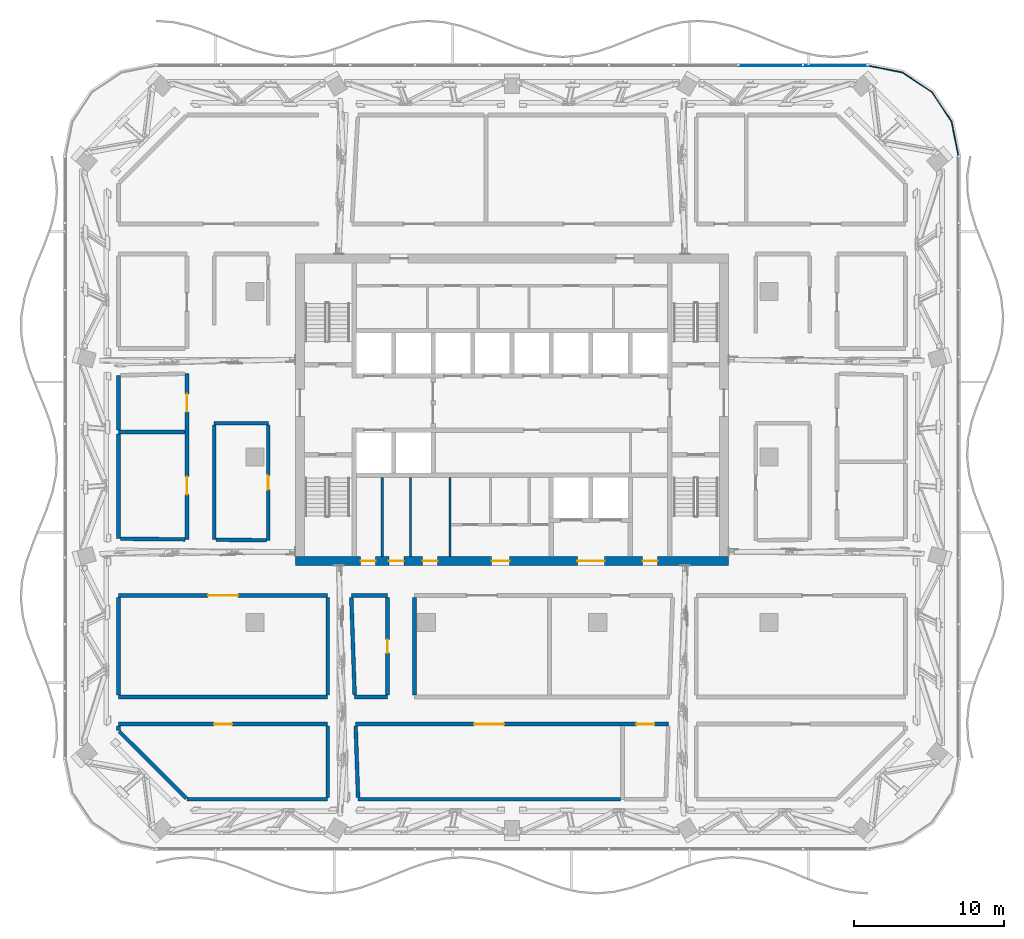
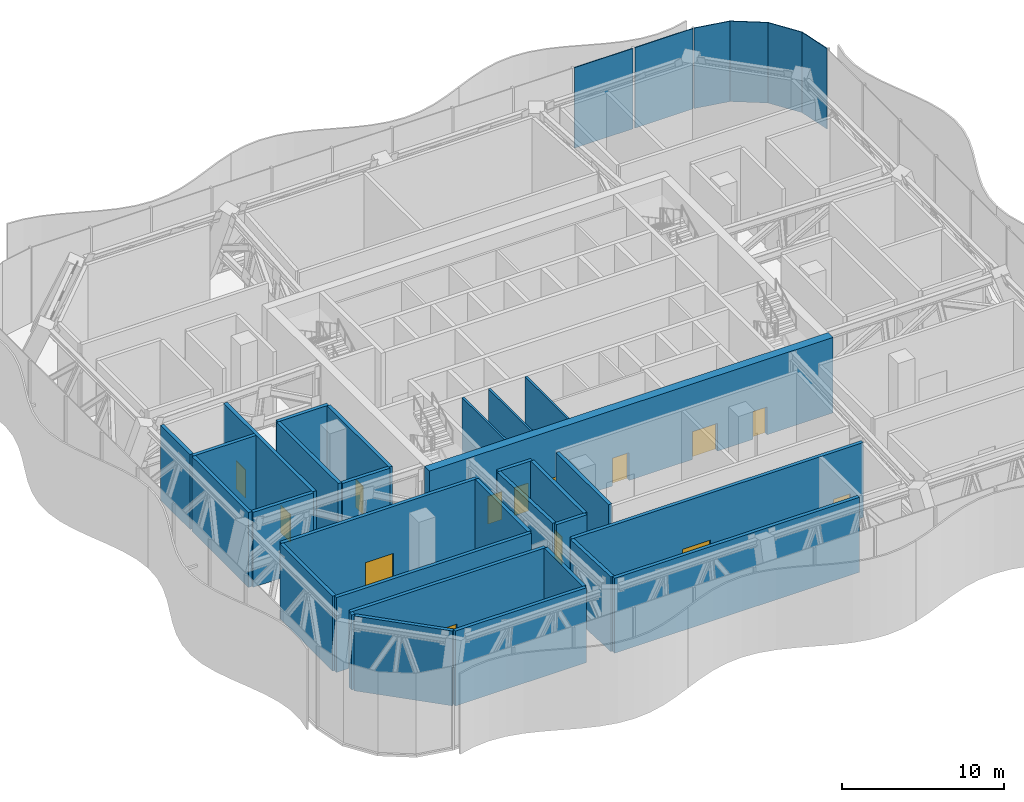
# One storey, part 10 of 29: 30 walls, 14 doors, 3 plates, 14 openings, 2 elements without a shape of their own.
"""IFC4 building model written with IfcOpenShell, lengths in metres."""

from ifc_helpers import new_model, si_unit, direction, frame, frame_2d, origin, origin_2d, place, context, subcontext, project, spatial, polyline, rectangle, outline, extrude, material, layer, layer_set, type_object, element, fill, aggregate, save


model = new_model("IFC4")

# Units and contexts
model_context = context("Model", 3, precision=1e-05, world=origin(), true_north=direction((0.0, 1.0)))
body_context = subcontext(model_context, "Body", "Model", "MODEL_VIEW")
ifc_project = project(units=[si_unit("LENGTHUNIT", "METRE"), si_unit("AREAUNIT", "SQUARE_METRE"), si_unit("VOLUMEUNIT", "CUBIC_METRE"), si_unit("PLANEANGLEUNIT", "RADIAN"), si_unit("MASSUNIT", "GRAM", prefix="KILO")], contexts=[model_context])

# Site, building, storey
site_placement = place(None, origin())
site = spatial("IfcSite", under=ifc_project, at=site_placement, CompositionType="ELEMENT")
building_placement = place(site_placement, origin())
building = spatial("IfcBuilding", under=site, at=building_placement, Name="Mopane Tessera Tower", CompositionType="ELEMENT")
storey_placement = place(building_placement, frame((0.0, 0.0, 315.39990234375)))
storey = spatial("IfcBuildingStorey", under=building, at=storey_placement, Name="L69", CompositionType="ELEMENT", Elevation=315.39990234375)

# Curtain wall, plate
ifc_material_1 = material(Name="Aluminium frame", Category="aluminium")
curtain_wall_type = type_object("IfcCurtainWallType", Name="Plant floor unitised wall", PredefinedType="NOTDEFINED", material=ifc_material_1)
curtain_wall_1_placement = place(storey_placement, origin())
curtain_wall_1 = element("IfcCurtainWall", 1, at=curtain_wall_1_placement, inside=storey, type_object=curtain_wall_type, Name="e:cw:L69:CE", PredefinedType="NOTDEFINED")
ifc_material_2 = material(Name="Limestone spandrel", Category="masonry")
ifc_layer_1 = layer(ifc_material_2, 0.06005859375)
ifc_layer_set_1 = layer_set([ifc_layer_1], Name="Limestone spandrel")
plate_type = type_object("IfcPlateType", Name="Stone spandrel unit", PredefinedType="CURTAIN_PANEL", material=ifc_layer_set_1)
plate_1_placement = place(storey_placement, frame((0.0, 0.0, -0.419921875)))
plate_1 = element("IfcPlate", 2, at=plate_1_placement, type_object=plate_type, Name="e:cw:L69:CE:pn", PredefinedType="CURTAIN_PANEL", context=body_context, shape_type="SweptSolid", body=[
    extrude(outline(polyline([(29.64990234375, 20.0), (29.193359375, 22.296142578125), (27.892578125, 24.24267578125), (25.946044921875, 25.543212890625), (23.64990234375, 26.0), (23.64990234375, 26.06005859375), (25.968994140625, 25.5986328125), (27.93505859375, 24.28515625), (29.248779296875, 22.319091796875), (29.7099609375, 20.0), (29.64990234375, 20.0)])), origin(), (0.0, 0.0, 1.0), 6.070068359375),
])
aggregate(curtain_wall_1, [plate_1])

# Curtain wall, plates
curtain_wall_2_placement = place(storey_placement, origin())
curtain_wall_2 = element("IfcCurtainWall", 3, at=curtain_wall_2_placement, inside=storey, type_object=curtain_wall_type, Name="e:cw:L69:N:0", PredefinedType="NOTDEFINED")
plate_2_placement = place(storey_placement, frame((21.5, 26.030029296875, -0.419921875), z_axis=(0.0, 0.0, 1.0), x_axis=(-1.0, 0.0, 0.0)))
plate_2 = element("IfcPlate", 4, at=plate_2_placement, type_object=plate_type, Name="e:cw:L69:N:0:pn0", PredefinedType="CURTAIN_PANEL", context=body_context, shape_type="SweptSolid", body=[
    extrude(rectangle(XDim=4.159912109375, YDim=0.06005859375, at=origin_2d()), origin(), (0.0, 0.0, 1.0), 6.070068359375),
])
plate_3_placement = place(storey_placement, frame((17.199951171875, 26.030029296875, -0.419921875), z_axis=(0.0, 0.0, 1.0), x_axis=(-1.0, 0.0, 0.0)))
plate_3 = element("IfcPlate", 5, at=plate_3_placement, type_object=plate_type, Name="e:cw:L69:N:0:pn1", PredefinedType="CURTAIN_PANEL", context=body_context, shape_type="SweptSolid", body=[
    extrude(rectangle(XDim=4.159912109375, YDim=0.06005859375, at=origin_2d()), origin(), (0.0, 0.0, 1.0), 6.070068359375),
])
aggregate(curtain_wall_2, [plate_2, plate_3])

# Walls
ifc_material_3 = material(Name="Fire-rated gypsum board partition")
ifc_layer_2 = layer(ifc_material_3, 0.14990234375)
ifc_layer_set_2 = layer_set([ifc_layer_2], Name="Fire-rated gypsum board partition")
wall_type_1 = type_object("IfcWallType", Name="Core room partition 150 mm", PredefinedType="PARTITIONING", material=ifc_layer_set_2)
for number, where, z_axis, x_axis, name in (
    (6, (-8.625, -6.60009765625, 0.0), (0.0, 0.0, 1.0), (0.0, 1.0, 0.0), "L69 Room partition"),
    (7, (-6.75, -6.60009765625, 0.0), (0.0, 0.0, 1.0), (0.0, 1.0, 0.0), "L69 Room partition"),
    (8, (-4.125, -6.60009765625, 0.0), (0.0, 0.0, 1.0), (0.0, 1.0, 0.0), "L69 Room partition"),
):
    element("IfcWall", number, at=place(storey_placement, frame(where, z_axis=z_axis, x_axis=x_axis)), inside=storey, type_object=wall_type_1, Name=name, PredefinedType="PARTITIONING", context=body_context, shape_type="SweptSolid", body=[
        extrude(rectangle(XDim=5.25, YDim=0.14990234375, at=frame_2d((2.625, 0.0))), origin(), (0.0, 0.0, 1.0), 5.7001953125),
    ])

# Wall, openings, doors
ifc_material_4 = material(Name="Concrete C70/85", Category="concrete")
ifc_layer_3 = layer(ifc_material_4, 0.60009765625)
ifc_layer_set_3 = layer_set([ifc_layer_3], Name="Concrete C70/85")
wall_type_2 = type_object("IfcWallType", Name="Core shear wall 600 mm", PredefinedType="SHEAR", material=ifc_layer_set_3)
wall_1_placement = place(storey_placement, frame((-14.39990234375, -6.89990234375, 0.0), z_axis=(0.0, 0.0, 1.0), x_axis=(1.0, 0.0, 0.0)))
wall_1 = element("IfcWall", 9, at=wall_1_placement, inside=storey, type_object=wall_type_2, Name="L69 Core wall south", PredefinedType="SHEAR", context=body_context, shape_type="SweptSolid", body=[
    extrude(rectangle(XDim=28.7998046875, YDim=0.60009765625, at=frame_2d((14.39990234375, 0.0))), origin(), (0.0, 0.0, 1.0), 5.7001953125),
])
opening_1_placement = place(wall_1_placement, frame((4.33740234375, 0.0, 0.0)))
opening_1 = element("IfcOpeningElement", 10, at=opening_1_placement, cuts=wall_1, Name="Opening RD1", PredefinedType="OPENING", context=body_context, shape_type="SweptSolid", body=[
    extrude(rectangle(XDim=1.0, YDim=2.10009765625, at=frame_2d((0.5, 1.050048828125))), frame((0.0, 0.31201171875, 0.0), z_axis=(0.0, -1.0, 0.0), x_axis=(1.0, 0.0, 0.0)), (0.0, 0.0, 1.0), 0.6240234375),
])
opening_2_placement = place(wall_1_placement, frame((6.21240234375, 0.0, 0.0)))
opening_2 = element("IfcOpeningElement", 11, at=opening_2_placement, cuts=wall_1, Name="Opening RD1", PredefinedType="OPENING", context=body_context, shape_type="SweptSolid", body=[
    extrude(rectangle(XDim=1.0, YDim=2.10009765625, at=frame_2d((0.5, 1.050048828125))), frame((0.0, 0.31201171875, 0.0), z_axis=(0.0, -1.0, 0.0), x_axis=(1.0, 0.0, 0.0)), (0.0, 0.0, 1.0), 0.6240234375),
])
opening_3_placement = place(wall_1_placement, frame((8.46240234375, 0.0, 0.0)))
opening_3 = element("IfcOpeningElement", 12, at=opening_3_placement, cuts=wall_1, Name="Opening RD1", PredefinedType="OPENING", context=body_context, shape_type="SweptSolid", body=[
    extrude(rectangle(XDim=1.0, YDim=2.10009765625, at=frame_2d((0.5, 1.050048828125))), frame((0.0, 0.31201171875, 0.0), z_axis=(0.0, -1.0, 0.0), x_axis=(1.0, 0.0, 0.0)), (0.0, 0.0, 1.0), 0.6240234375),
])
opening_4_placement = place(wall_1_placement, frame((13.050048828125, 0.0, 0.0)))
opening_4 = element("IfcOpeningElement", 13, at=opening_4_placement, cuts=wall_1, Name="Opening WD3", PredefinedType="OPENING", context=body_context, shape_type="SweptSolid", body=[
    extrude(rectangle(XDim=1.199951171875, YDim=2.10009765625, at=frame_2d((0.60009765625, 1.050048828125))), frame((0.0, 0.31201171875, 0.0), z_axis=(0.0, -1.0, 0.0), x_axis=(1.0, 0.0, 0.0)), (0.0, 0.0, 1.0), 0.6240234375),
])
opening_5_placement = place(wall_1_placement, frame((18.75, 0.0, 0.0)))
opening_5 = element("IfcOpeningElement", 14, at=opening_5_placement, cuts=wall_1, Name="Opening SD2", PredefinedType="OPENING", context=body_context, shape_type="SweptSolid", body=[
    extrude(rectangle(XDim=1.800048828125, YDim=2.10009765625, at=frame_2d((0.89990234375, 1.050048828125))), frame((0.0, 0.31201171875, 0.0), z_axis=(0.0, -1.0, 0.0), x_axis=(1.0, 0.0, 0.0)), (0.0, 0.0, 1.0), 0.6240234375),
])
opening_6_placement = place(wall_1_placement, frame((23.08740234375, 0.0, 0.0)))
opening_6 = element("IfcOpeningElement", 15, at=opening_6_placement, cuts=wall_1, Name="Opening RD1", PredefinedType="OPENING", context=body_context, shape_type="SweptSolid", body=[
    extrude(rectangle(XDim=1.0, YDim=2.10009765625, at=frame_2d((0.5, 1.050048828125))), frame((0.0, 0.31201171875, 0.0), z_axis=(0.0, -1.0, 0.0), x_axis=(1.0, 0.0, 0.0)), (0.0, 0.0, 1.0), 0.6240234375),
])
ifc_material_5 = material(Name="Steel fire door", Category="steel")
door_type_1 = type_object("IfcDoorType", Name="Core entrance double door 1800 x 2100", OperationType="DOUBLE_DOOR_SINGLE_SWING", PredefinedType="DOOR", material=ifc_material_5)
door_1_placement = place(opening_5_placement, origin())
door_1 = element("IfcDoor", 16, at=door_1_placement, inside=storey, type_object=door_type_1, Name="L69 Service lobby door", OperationType="DOUBLE_DOOR_SINGLE_SWING", OverallHeight=2.10009765625, OverallWidth=1.800048828125, PredefinedType="DOOR", context=body_context, shape_type="SweptSolid", body=[
    extrude(rectangle(XDim=1.800048828125, YDim=2.10009765625, at=frame_2d((0.89990234375, 1.050048828125))), frame((0.0, 0.02490234375, 0.0), z_axis=(0.0, -1.0, 0.0), x_axis=(1.0, 0.0, 0.0)), (0.0, 0.0, 1.0), 0.050048828125),
])
fill(opening_5, door_1)
ifc_material_6 = material(Name="Timber door", Category="wood")
door_type_2 = type_object("IfcDoorType", Name="Core room door 1000 x 2100", OperationType="SINGLE_SWING_LEFT", PredefinedType="DOOR", material=ifc_material_6)
door_2_placement = place(opening_1_placement, origin())
door_2 = element("IfcDoor", 17, at=door_2_placement, inside=storey, type_object=door_type_2, Name="L69 Room door", OperationType="SINGLE_SWING_LEFT", OverallHeight=2.10009765625, OverallWidth=1.0, PredefinedType="DOOR", context=body_context, shape_type="SweptSolid", body=[
    extrude(rectangle(XDim=1.0, YDim=2.10009765625, at=frame_2d((0.5, 1.050048828125))), frame((0.0, 0.02490234375, 0.0), z_axis=(0.0, -1.0, 0.0), x_axis=(1.0, 0.0, 0.0)), (0.0, 0.0, 1.0), 0.050048828125),
])
fill(opening_1, door_2)
door_3_placement = place(opening_2_placement, origin())
door_3 = element("IfcDoor", 18, at=door_3_placement, inside=storey, type_object=door_type_2, Name="L69 Room door", OperationType="SINGLE_SWING_LEFT", OverallHeight=2.10009765625, OverallWidth=1.0, PredefinedType="DOOR", context=body_context, shape_type="SweptSolid", body=[
    extrude(rectangle(XDim=1.0, YDim=2.10009765625, at=frame_2d((0.5, 1.050048828125))), frame((0.0, 0.02490234375, 0.0), z_axis=(0.0, -1.0, 0.0), x_axis=(1.0, 0.0, 0.0)), (0.0, 0.0, 1.0), 0.050048828125),
])
fill(opening_2, door_3)
door_4_placement = place(opening_3_placement, origin())
door_4 = element("IfcDoor", 19, at=door_4_placement, inside=storey, type_object=door_type_2, Name="L69 Room door", OperationType="SINGLE_SWING_LEFT", OverallHeight=2.10009765625, OverallWidth=1.0, PredefinedType="DOOR", context=body_context, shape_type="SweptSolid", body=[
    extrude(rectangle(XDim=1.0, YDim=2.10009765625, at=frame_2d((0.5, 1.050048828125))), frame((0.0, 0.02490234375, 0.0), z_axis=(0.0, -1.0, 0.0), x_axis=(1.0, 0.0, 0.0)), (0.0, 0.0, 1.0), 0.050048828125),
])
fill(opening_3, door_4)
door_5_placement = place(opening_6_placement, origin())
door_5 = element("IfcDoor", 20, at=door_5_placement, inside=storey, type_object=door_type_2, Name="L69 Room door", OperationType="SINGLE_SWING_LEFT", OverallHeight=2.10009765625, OverallWidth=1.0, PredefinedType="DOOR", context=body_context, shape_type="SweptSolid", body=[
    extrude(rectangle(XDim=1.0, YDim=2.10009765625, at=frame_2d((0.5, 1.050048828125))), frame((0.0, 0.02490234375, 0.0), z_axis=(0.0, -1.0, 0.0), x_axis=(1.0, 0.0, 0.0)), (0.0, 0.0, 1.0), 0.050048828125),
])
fill(opening_6, door_5)
ifc_material_7 = material(Name="Timber door", Category="wood")
door_type_3 = type_object("IfcDoorType", Name="WC lobby door 1200 x 2100", OperationType="SINGLE_SWING_LEFT", PredefinedType="DOOR", material=ifc_material_7)
door_6_placement = place(opening_4_placement, origin())
door_6 = element("IfcDoor", 21, at=door_6_placement, inside=storey, type_object=door_type_3, Name="L69 WC lobby door", OperationType="SINGLE_SWING_LEFT", OverallHeight=2.10009765625, OverallWidth=1.199951171875, PredefinedType="DOOR", context=body_context, shape_type="SweptSolid", body=[
    extrude(rectangle(XDim=1.199951171875, YDim=2.10009765625, at=frame_2d((0.60009765625, 1.050048828125))), frame((0.0, 0.02490234375, 0.0), z_axis=(0.0, -1.0, 0.0), x_axis=(1.0, 0.0, 0.0)), (0.0, 0.0, 1.0), 0.050048828125),
])
fill(opening_4, door_6)

# Walls
ifc_material_8 = material(Name="Plastered concrete blockwork C20/25", Category="masonry")
ifc_layer_4 = layer(ifc_material_8, 0.25)
ifc_layer_set_4 = layer_set([ifc_layer_4], Name="Plastered concrete blockwork C20/25")
wall_type_3 = type_object("IfcWallType", Name="Plastered blockwork wall 250, rated EI 120", PredefinedType="PARTITIONING", material=ifc_layer_set_4)
wall_2_placement = place(storey_placement, frame((-21.594970703125, -22.7451171875, 0.0), z_axis=(0.0, 0.0, 1.0), x_axis=(1.0, 0.0, 0.0)))
element("IfcWall", 22, at=wall_2_placement, inside=storey, type_object=wall_type_3, Name="Partition L69:000", PredefinedType="PARTITIONING", context=body_context, shape_type="SweptSolid", body=[
    extrude(rectangle(XDim=9.344970703125, YDim=0.25, at=frame_2d((4.67236328125, 0.0))), origin(), (0.0, 0.0, 1.0), 5.650146484375),
])
wall_3_placement = place(storey_placement, frame((-10.22998046875, -22.7451171875, 0.0), z_axis=(0.0, 0.0, 1.0), x_axis=(1.0, 0.0, 0.0)))
element("IfcWall", 23, at=wall_3_placement, inside=storey, type_object=wall_type_3, Name="Partition L69:001", PredefinedType="PARTITIONING", context=body_context, shape_type="SweptSolid", body=[
    extrude(rectangle(XDim=17.455078125, YDim=0.25, at=frame_2d((8.7275390625, 0.0))), origin(), (0.0, 0.0, 1.0), 5.650146484375),
])

# Wall, opening, door
wall_4_placement = place(storey_placement, frame((-26.159912109375, -17.75, 0.0), z_axis=(0.0, 0.0, 1.0), x_axis=(1.0, 0.0, 0.0)))
wall_4 = element("IfcWall", 24, at=wall_4_placement, inside=storey, type_object=wall_type_3, Name="Partition L69:004", PredefinedType="PARTITIONING", context=body_context, shape_type="SweptSolid", body=[
    extrude(rectangle(XDim=13.909912109375, YDim=0.25, at=frame_2d((6.955078125, 0.0))), origin(), (0.0, 0.0, 1.0), 5.650146484375),
])
opening_7_placement = place(wall_4_placement, frame((6.35498046875, 0.0, 0.0)))
opening_7 = element("IfcOpeningElement", 25, at=opening_7_placement, cuts=wall_4, Name="Opening L69-16", PredefinedType="OPENING", context=body_context, shape_type="SweptSolid", body=[
    extrude(rectangle(XDim=1.199951171875, YDim=2.10009765625, at=frame_2d((0.60009765625, 1.050048828125))), frame((0.0, 0.136962890625, 0.0), z_axis=(0.0, -1.0, 0.0), x_axis=(1.0, 0.0, 0.0)), (0.0, 0.0, 1.0), 0.27392578125),
])
ifc_material_9 = material(Name="Timber veneered steel-framed fire door", Category="steel")
door_type_4 = type_object("IfcDoorType", Name="Fire door FD120 1200 x 2100", OperationType="SINGLE_SWING_LEFT", PredefinedType="DOOR", material=ifc_material_9)
door_7_placement = place(opening_7_placement, origin())
door_7 = element("IfcDoor", 26, at=door_7_placement, inside=storey, type_object=door_type_4, Name="Door L69-16", ObjectType="D15B", OperationType="SINGLE_SWING_LEFT", OverallHeight=2.10009765625, OverallWidth=1.199951171875, PredefinedType="DOOR", context=body_context, shape_type="SweptSolid", body=[
    extrude(rectangle(XDim=1.199951171875, YDim=2.10009765625, at=frame_2d((0.60009765625, 1.050048828125))), frame((0.0, 0.02490234375, 0.0), z_axis=(0.0, -1.0, 0.0), x_axis=(1.0, 0.0, 0.0)), (0.0, 0.0, 1.0), 0.050048828125),
])
fill(opening_7, door_7)

# Wall, openings, doors
wall_5_placement = place(storey_placement, frame((-10.39501953125, -17.75, 0.0), z_axis=(0.0, 0.0, 1.0), x_axis=(1.0, 0.0, 0.0)))
wall_5 = element("IfcWall", 27, at=wall_5_placement, inside=storey, type_object=wall_type_3, Name="Partition L69:005", PredefinedType="PARTITIONING", context=body_context, shape_type="SweptSolid", body=[
    extrude(rectangle(XDim=20.7900390625, YDim=0.25, at=frame_2d((10.39501953125, 0.0))), origin(), (0.0, 0.0, 1.0), 5.650146484375),
])
opening_8_placement = place(wall_5_placement, frame((18.66748046875, 0.0, 0.0)))
opening_8 = element("IfcOpeningElement", 28, at=opening_8_placement, cuts=wall_5, Name="Opening L69-03", PredefinedType="OPENING", context=body_context, shape_type="SweptSolid", body=[
    extrude(rectangle(XDim=1.199951171875, YDim=2.10009765625, at=frame_2d((0.60009765625, 1.050048828125))), frame((0.0, 0.136962890625, 0.0), z_axis=(0.0, -1.0, 0.0), x_axis=(1.0, 0.0, 0.0)), (0.0, 0.0, 1.0), 0.27392578125),
])
opening_9_placement = place(wall_5_placement, frame((7.87255859375, 0.0, 0.0)))
opening_9 = element("IfcOpeningElement", 29, at=opening_9_placement, cuts=wall_5, Name="Opening L69-17", PredefinedType="OPENING", context=body_context, shape_type="SweptSolid", body=[
    extrude(rectangle(XDim=2.0, YDim=2.10009765625, at=frame_2d((1.0, 1.050048828125))), frame((0.0, 0.136962890625, 0.0), z_axis=(0.0, -1.0, 0.0), x_axis=(1.0, 0.0, 0.0)), (0.0, 0.0, 1.0), 0.27392578125),
])
door_8_placement = place(opening_8_placement, origin())
door_8 = element("IfcDoor", 30, at=door_8_placement, inside=storey, type_object=door_type_4, Name="Door L69-03", ObjectType="D15B", OperationType="SINGLE_SWING_RIGHT", OverallHeight=2.10009765625, OverallWidth=1.199951171875, PredefinedType="DOOR", context=body_context, shape_type="SweptSolid", body=[
    extrude(rectangle(XDim=1.199951171875, YDim=2.10009765625, at=frame_2d((0.60009765625, 1.050048828125))), frame((0.0, 0.02490234375, 0.0), z_axis=(0.0, -1.0, 0.0), x_axis=(1.0, 0.0, 0.0)), (0.0, 0.0, 1.0), 0.050048828125),
])
fill(opening_8, door_8)
ifc_material_10 = material(Name="Timber veneered steel-framed fire door", Category="steel")
door_type_5 = type_object("IfcDoorType", Name="Fire door pair FD120 2000 x 2100", OperationType="DOUBLE_DOOR_SINGLE_SWING", PredefinedType="DOOR", material=ifc_material_10)
door_9_placement = place(opening_9_placement, origin())
door_9 = element("IfcDoor", 31, at=door_9_placement, inside=storey, type_object=door_type_5, Name="Door L69-17", ObjectType="D25B", OperationType="DOUBLE_DOOR_SINGLE_SWING", OverallHeight=2.10009765625, OverallWidth=2.0, PredefinedType="DOOR", context=body_context, shape_type="SweptSolid", body=[
    extrude(rectangle(XDim=2.0, YDim=2.10009765625, at=frame_2d((1.0, 1.050048828125))), frame((0.0, 0.02490234375, 0.0), z_axis=(0.0, -1.0, 0.0), x_axis=(1.0, 0.0, 0.0)), (0.0, 0.0, 1.0), 0.050048828125),
])
fill(opening_9, door_9)

# Walls
wall_6_placement = place(storey_placement, frame((-26.159912109375, -15.949951171875, 0.0), z_axis=(0.0, 0.0, 1.0), x_axis=(1.0, 0.0, 0.0)))
element("IfcWall", 32, at=wall_6_placement, inside=storey, type_object=wall_type_3, Name="Partition L69:007", PredefinedType="PARTITIONING", context=body_context, shape_type="SweptSolid", body=[
    extrude(rectangle(XDim=13.909912109375, YDim=0.25, at=frame_2d((6.955078125, 0.0))), origin(), (0.0, 0.0, 1.0), 5.650146484375),
])
wall_7_placement = place(storey_placement, frame((-10.455078125, -15.949951171875, 0.0), z_axis=(0.0, 0.0, 1.0), x_axis=(1.0, 0.0, 0.0)))
element("IfcWall", 33, at=wall_7_placement, inside=storey, type_object=wall_type_3, Name="Partition L69:008", PredefinedType="PARTITIONING", context=body_context, shape_type="SweptSolid", body=[
    extrude(rectangle(XDim=2.175048828125, YDim=0.25, at=frame_2d((1.08740234375, 0.0))), origin(), (0.0, 0.0, 1.0), 5.650146484375),
])

# Wall, opening, door
wall_8_placement = place(storey_placement, frame((-26.159912109375, -9.199951171875, 0.0), z_axis=(0.0, 0.0, 1.0), x_axis=(1.0, 0.0, 0.0)))
wall_8 = element("IfcWall", 34, at=wall_8_placement, inside=storey, type_object=wall_type_3, Name="Partition L69:011", PredefinedType="PARTITIONING", context=body_context, shape_type="SweptSolid", body=[
    extrude(rectangle(XDim=13.909912109375, YDim=0.25, at=frame_2d((6.955078125, 0.0))), origin(), (0.0, 0.0, 1.0), 5.650146484375),
])
opening_10_placement = place(wall_8_placement, frame((5.955078125, 0.0, 0.0)))
opening_10 = element("IfcOpeningElement", 35, at=opening_10_placement, cuts=wall_8, Name="Opening L69-08", PredefinedType="OPENING", context=body_context, shape_type="SweptSolid", body=[
    extrude(rectangle(XDim=2.0, YDim=2.10009765625, at=frame_2d((1.0, 1.050048828125))), frame((0.0, 0.136962890625, 0.0), z_axis=(0.0, -1.0, 0.0), x_axis=(1.0, 0.0, 0.0)), (0.0, 0.0, 1.0), 0.27392578125),
])
door_10_placement = place(opening_10_placement, origin())
door_10 = element("IfcDoor", 36, at=door_10_placement, inside=storey, type_object=door_type_5, Name="Door L69-08", ObjectType="D25B", OperationType="DOUBLE_DOOR_SINGLE_SWING", OverallHeight=2.10009765625, OverallWidth=2.0, PredefinedType="DOOR", context=body_context, shape_type="SweptSolid", body=[
    extrude(rectangle(XDim=2.0, YDim=2.10009765625, at=frame_2d((1.0, 1.050048828125))), frame((0.0, 0.02490234375, 0.0), z_axis=(0.0, -1.0, 0.0), x_axis=(1.0, 0.0, 0.0)), (0.0, 0.0, 1.0), 0.050048828125),
])
fill(opening_10, door_10)

# Walls
wall_9_placement = place(storey_placement, frame((-10.68505859375, -9.199951171875, 0.0), z_axis=(0.0, 0.0, 1.0), x_axis=(1.0, 0.0, 0.0)))
element("IfcWall", 37, at=wall_9_placement, inside=storey, type_object=wall_type_3, Name="Partition L69:012", PredefinedType="PARTITIONING", context=body_context, shape_type="SweptSolid", body=[
    extrude(rectangle(XDim=2.405029296875, YDim=0.25, at=frame_2d((1.20263671875, 0.0))), origin(), (0.0, 0.0, 1.0), 5.650146484375),
])
wall_10_placement = place(storey_placement, frame((-26.159912109375, 1.669921875, 0.0), z_axis=(0.0, 0.0, 1.0), x_axis=(1.0, 0.0, 0.0)))
element("IfcWall", 38, at=wall_10_placement, inside=storey, type_object=wall_type_3, Name="Partition L69:016", PredefinedType="PARTITIONING", context=body_context, shape_type="SweptSolid", body=[
    extrude(rectangle(XDim=4.434814453125, YDim=0.25, at=frame_2d((2.21728515625, 0.0))), origin(), (0.0, 0.0, 1.0), 5.650146484375),
])
wall_11_placement = place(storey_placement, frame((-19.800048828125, 2.25, 0.0), z_axis=(0.0, 0.0, 1.0), x_axis=(1.0, 0.0, 0.0)))
element("IfcWall", 39, at=wall_11_placement, inside=storey, type_object=wall_type_3, Name="Partition L69:017", PredefinedType="PARTITIONING", context=body_context, shape_type="SweptSolid", body=[
    extrude(rectangle(XDim=3.60009765625, YDim=0.25, at=frame_2d((1.800048828125, 0.0))), origin(), (0.0, 0.0, 1.0), 5.650146484375),
])
wall_12_placement = place(storey_placement, frame((-26.159912109375, -18.18505859375, 0.0), z_axis=(0.0, 0.0, 1.0), x_axis=(0.0, 1.0, 0.0)))
element("IfcWall", 40, at=wall_12_placement, inside=storey, type_object=wall_type_3, Name="Partition L69:033", PredefinedType="PARTITIONING", context=body_context, shape_type="SweptSolid", body=[
    extrude(rectangle(XDim=0.31005859375, YDim=0.25, at=frame_2d((0.155029296875, 0.0))), origin(), (0.0, 0.0, 1.0), 5.650146484375),
])
wall_13_placement = place(storey_placement, frame((-26.159912109375, -15.824951171875, 0.0), z_axis=(0.0, 0.0, 1.0), x_axis=(0.0, 1.0, 0.0)))
element("IfcWall", 41, at=wall_13_placement, inside=storey, type_object=wall_type_3, Name="Partition L69:034", PredefinedType="PARTITIONING", context=body_context, shape_type="SweptSolid", body=[
    extrude(rectangle(XDim=6.5, YDim=0.25, at=frame_2d((3.25, 0.0))), origin(), (0.0, 0.0, 1.0), 5.650146484375),
])
wall_14_placement = place(storey_placement, frame((-26.159912109375, -5.425048828125, 0.0), z_axis=(0.0, 0.0, 1.0), x_axis=(0.0, 1.0, 0.0)))
element("IfcWall", 42, at=wall_14_placement, inside=storey, type_object=wall_type_3, Name="Partition L69:035", PredefinedType="PARTITIONING", context=body_context, shape_type="SweptSolid", body=[
    extrude(rectangle(XDim=6.969970703125, YDim=0.25, at=frame_2d((3.48486328125, 0.0))), origin(), (0.0, 0.0, 1.0), 5.650146484375),
])
wall_15_placement = place(storey_placement, frame((-26.159912109375, 1.794921875, 0.0), z_axis=(0.0, 0.0, 1.0), x_axis=(0.0, 1.0, 0.0)))
element("IfcWall", 43, at=wall_15_placement, inside=storey, type_object=wall_type_3, Name="Partition L69:036", PredefinedType="PARTITIONING", context=body_context, shape_type="SweptSolid", body=[
    extrude(rectangle(XDim=3.64013671875, YDim=0.25, at=frame_2d((1.820068359375, 0.0))), origin(), (0.0, 0.0, 1.0), 5.650146484375),
])

# Wall, openings, doors
wall_16_placement = place(storey_placement, frame((-21.60009765625, -5.469970703125, 0.0), z_axis=(0.0, 0.0, 1.0), x_axis=(0.0, 1.0, 0.0)))
wall_16 = element("IfcWall", 44, at=wall_16_placement, inside=storey, type_object=wall_type_3, Name="Partition L69:039", PredefinedType="PARTITIONING", context=body_context, shape_type="SweptSolid", body=[
    extrude(rectangle(XDim=11.02001953125, YDim=0.25, at=frame_2d((5.510009765625, 0.0))), origin(), (0.0, 0.0, 1.0), 5.650146484375),
])
opening_11_placement = place(wall_16_placement, frame((8.47998046875, 0.0, 0.0)))
opening_11 = element("IfcOpeningElement", 45, at=opening_11_placement, cuts=wall_16, Name="Opening L69-02", PredefinedType="OPENING", context=body_context, shape_type="SweptSolid", body=[
    extrude(rectangle(XDim=1.199951171875, YDim=2.10009765625, at=frame_2d((0.60009765625, 1.050048828125))), frame((0.0, 0.136962890625, 0.0), z_axis=(0.0, -1.0, 0.0), x_axis=(1.0, 0.0, 0.0)), (0.0, 0.0, 1.0), 0.27392578125),
])
opening_12_placement = place(wall_16_placement, frame((2.969970703125, 0.0, 0.0)))
opening_12 = element("IfcOpeningElement", 46, at=opening_12_placement, cuts=wall_16, Name="Opening L69-15", PredefinedType="OPENING", context=body_context, shape_type="SweptSolid", body=[
    extrude(rectangle(XDim=1.199951171875, YDim=2.10009765625, at=frame_2d((0.60009765625, 1.050048828125))), frame((0.0, 0.136962890625, 0.0), z_axis=(0.0, -1.0, 0.0), x_axis=(1.0, 0.0, 0.0)), (0.0, 0.0, 1.0), 0.27392578125),
])
door_11_placement = place(opening_11_placement, origin())
door_11 = element("IfcDoor", 47, at=door_11_placement, inside=storey, type_object=door_type_4, Name="Door L69-02", ObjectType="D15B", OperationType="SINGLE_SWING_RIGHT", OverallHeight=2.10009765625, OverallWidth=1.199951171875, PredefinedType="DOOR", context=body_context, shape_type="SweptSolid", body=[
    extrude(rectangle(XDim=1.199951171875, YDim=2.10009765625, at=frame_2d((0.60009765625, 1.050048828125))), frame((0.0, 0.02490234375, 0.0), z_axis=(0.0, -1.0, 0.0), x_axis=(1.0, 0.0, 0.0)), (0.0, 0.0, 1.0), 0.050048828125),
])
fill(opening_11, door_11)
door_12_placement = place(opening_12_placement, origin())
door_12 = element("IfcDoor", 48, at=door_12_placement, inside=storey, type_object=door_type_4, Name="Door L69-15", ObjectType="D15B", OperationType="SINGLE_SWING_LEFT", OverallHeight=2.10009765625, OverallWidth=1.199951171875, PredefinedType="DOOR", context=body_context, shape_type="SweptSolid", body=[
    extrude(rectangle(XDim=1.199951171875, YDim=2.10009765625, at=frame_2d((0.60009765625, 1.050048828125))), frame((0.0, 0.02490234375, 0.0), z_axis=(0.0, -1.0, 0.0), x_axis=(1.0, 0.0, 0.0)), (0.0, 0.0, 1.0), 0.050048828125),
])
fill(opening_12, door_12)

# Wall
wall_17_placement = place(storey_placement, frame((-19.800048828125, -5.489990234375, 0.0), z_axis=(0.0, 0.0, 1.0), x_axis=(0.0, 1.0, 0.0)))
element("IfcWall", 49, at=wall_17_placement, inside=storey, type_object=wall_type_3, Name="Partition L69:041", PredefinedType="PARTITIONING", context=body_context, shape_type="SweptSolid", body=[
    extrude(rectangle(XDim=7.614990234375, YDim=0.25, at=frame_2d((3.8076171875, 0.0))), origin(), (0.0, 0.0, 1.0), 5.650146484375),
])

# Wall, opening, door
wall_18_placement = place(storey_placement, frame((-16.199951171875, -5.530029296875, 0.0), z_axis=(0.0, 0.0, 1.0), x_axis=(0.0, 1.0, 0.0)))
wall_18 = element("IfcWall", 50, at=wall_18_placement, inside=storey, type_object=wall_type_3, Name="Partition L69:043", PredefinedType="PARTITIONING", context=body_context, shape_type="SweptSolid", body=[
    extrude(rectangle(XDim=7.655029296875, YDim=0.25, at=frame_2d((3.82763671875, 0.0))), origin(), (0.0, 0.0, 1.0), 5.650146484375),
])
opening_13_placement = place(wall_18_placement, frame((3.37744140625, 0.0, 0.0)))
opening_13 = element("IfcOpeningElement", 51, at=opening_13_placement, cuts=wall_18, Name="Opening L69-09", PredefinedType="OPENING", context=body_context, shape_type="SweptSolid", body=[
    extrude(rectangle(XDim=0.89990234375, YDim=2.10009765625, at=frame_2d((0.449951171875, 1.050048828125))), frame((0.0, 0.136962890625, 0.0), z_axis=(0.0, -1.0, 0.0), x_axis=(1.0, 0.0, 0.0)), (0.0, 0.0, 1.0), 0.27392578125),
])
ifc_material_11 = material(Name="Timber veneered steel-framed fire door", Category="steel")
door_type_6 = type_object("IfcDoorType", Name="Fire door FD120 900 x 2100", OperationType="SINGLE_SWING_LEFT", PredefinedType="DOOR", material=ifc_material_11)
door_13_placement = place(opening_13_placement, origin())
door_13 = element("IfcDoor", 52, at=door_13_placement, inside=storey, type_object=door_type_6, Name="Door L69-09", ObjectType="D10B", OperationType="SINGLE_SWING_LEFT", OverallHeight=2.10009765625, OverallWidth=0.89990234375, PredefinedType="DOOR", context=body_context, shape_type="SweptSolid", body=[
    extrude(rectangle(XDim=0.89990234375, YDim=2.10009765625, at=frame_2d((0.449951171875, 1.050048828125))), frame((0.0, 0.02490234375, 0.0), z_axis=(0.0, -1.0, 0.0), x_axis=(1.0, 0.0, 0.0)), (0.0, 0.0, 1.0), 0.050048828125),
])
fill(opening_13, door_13)

# Walls
wall_19_placement = place(storey_placement, frame((-12.25, -22.6201171875, 0.0), z_axis=(0.0, 0.0, 1.0), x_axis=(0.0, 1.0, 0.0)))
element("IfcWall", 53, at=wall_19_placement, inside=storey, type_object=wall_type_3, Name="Partition L69:045", PredefinedType="PARTITIONING", context=body_context, shape_type="SweptSolid", body=[
    extrude(rectangle(XDim=4.7451171875, YDim=0.25, at=frame_2d((2.37255859375, 0.0))), origin(), (0.0, 0.0, 1.0), 5.650146484375),
])
wall_20_placement = place(storey_placement, frame((-12.25, -15.824951171875, 0.0), z_axis=(0.0, 0.0, 1.0), x_axis=(0.0, 1.0, 0.0)))
element("IfcWall", 54, at=wall_20_placement, inside=storey, type_object=wall_type_3, Name="Partition L69:046", PredefinedType="PARTITIONING", context=body_context, shape_type="SweptSolid", body=[
    extrude(rectangle(XDim=6.5, YDim=0.25, at=frame_2d((3.25, 0.0))), origin(), (0.0, 0.0, 1.0), 5.650146484375),
])

# Wall, opening, door
wall_21_placement = place(storey_placement, frame((-8.280029296875, -15.824951171875, 0.0), z_axis=(0.0, 0.0, 1.0), x_axis=(0.0, 1.0, 0.0)))
wall_21 = element("IfcWall", 55, at=wall_21_placement, inside=storey, type_object=wall_type_3, Name="Partition L69:047", PredefinedType="PARTITIONING", context=body_context, shape_type="SweptSolid", body=[
    extrude(rectangle(XDim=6.5, YDim=0.25, at=frame_2d((3.25, 0.0))), origin(), (0.0, 0.0, 1.0), 5.650146484375),
])
opening_14_placement = place(wall_21_placement, frame((2.800048828125, 0.0, 0.0)))
opening_14 = element("IfcOpeningElement", 56, at=opening_14_placement, cuts=wall_21, Name="Opening L69-10", PredefinedType="OPENING", context=body_context, shape_type="SweptSolid", body=[
    extrude(rectangle(XDim=0.89990234375, YDim=2.10009765625, at=frame_2d((0.449951171875, 1.050048828125))), frame((0.0, 0.136962890625, 0.0), z_axis=(0.0, -1.0, 0.0), x_axis=(1.0, 0.0, 0.0)), (0.0, 0.0, 1.0), 0.27392578125),
])
door_14_placement = place(opening_14_placement, origin())
door_14 = element("IfcDoor", 57, at=door_14_placement, inside=storey, type_object=door_type_6, Name="Door L69-10", ObjectType="D10B", OperationType="SINGLE_SWING_RIGHT", OverallHeight=2.10009765625, OverallWidth=0.89990234375, PredefinedType="DOOR", context=body_context, shape_type="SweptSolid", body=[
    extrude(rectangle(XDim=0.89990234375, YDim=2.10009765625, at=frame_2d((0.449951171875, 1.050048828125))), frame((0.0, 0.02490234375, 0.0), z_axis=(0.0, -1.0, 0.0), x_axis=(1.0, 0.0, 0.0)), (0.0, 0.0, 1.0), 0.050048828125),
])
fill(opening_14, door_14)

# Walls
wall_22_placement = place(storey_placement, frame((-6.47998046875, -15.824951171875, 0.0), z_axis=(0.0, 0.0, 1.0), x_axis=(0.0, 1.0, 0.0)))
element("IfcWall", 58, at=wall_22_placement, inside=storey, type_object=wall_type_3, Name="Partition L69:048", PredefinedType="PARTITIONING", context=body_context, shape_type="SweptSolid", body=[
    extrude(rectangle(XDim=6.5, YDim=0.25, at=frame_2d((3.25, 0.0))), origin(), (0.0, 0.0, 1.0), 5.650146484375),
])
wall_23_placement = place(storey_placement, frame((-16.330078125, -5.529052734375, 0.0), z_axis=(0.0, 0.0, 1.0), x_axis=(-0.999934986335, 0.011402767388, 0.0)))
element("IfcWall", 59, at=wall_23_placement, inside=storey, type_object=wall_type_3, Name="Partition L69:073", PredefinedType="PARTITIONING", context=body_context, shape_type="SweptSolid", body=[
    extrude(rectangle(XDim=3.340087890625, YDim=0.25, at=frame_2d((1.669921875, 0.0))), origin(), (0.0, 0.0, 1.0), 5.650146484375),
])
wall_24_placement = place(storey_placement, frame((-10.458984375, -15.820068359375, 0.0), z_axis=(0.0, 0.0, 1.0), x_axis=(-0.034174811959, 0.99941587051, 0.0)))
element("IfcWall", 60, at=wall_24_placement, inside=storey, type_object=wall_type_3, Name="Partition L69:074", PredefinedType="PARTITIONING", context=body_context, shape_type="SweptSolid", body=[
    extrude(rectangle(XDim=6.493896484375, YDim=0.25, at=frame_2d((3.2470703125, 0.0))), origin(), (0.0, 0.0, 1.0), 5.650146484375),
])
wall_25_placement = place(storey_placement, frame((-21.72998046875, -5.468994140625, 0.0), z_axis=(0.0, 0.0, 1.0), x_axis=(-0.999950077521, 0.009992120232, 0.0)))
element("IfcWall", 61, at=wall_25_placement, inside=storey, type_object=wall_type_3, Name="Partition L69:078", PredefinedType="PARTITIONING", context=body_context, shape_type="SweptSolid", body=[
    extrude(rectangle(XDim=4.30029296875, YDim=0.25, at=frame_2d((2.150146484375, 0.0))), origin(), (0.0, 0.0, 1.0), 5.650146484375),
])
wall_26_placement = place(storey_placement, frame((-21.652099609375, -22.68798828125, 0.0), z_axis=(0.0, 0.0, 1.0), x_axis=(-0.707494747071, 0.706718602321, 0.0)))
element("IfcWall", 62, at=wall_26_placement, inside=storey, type_object=wall_type_3, Name="Partition L69:079", PredefinedType="PARTITIONING", context=body_context, shape_type="SweptSolid", body=[
    extrude(rectangle(XDim=6.291015625, YDim=0.25, at=frame_2d((3.1455078125, 0.0))), origin(), (0.0, 0.0, 1.0), 5.650146484375),
])
wall_27_placement = place(storey_placement, frame((-10.23388671875, -22.614990234375, 0.0), z_axis=(0.0, 0.0, 1.0), x_axis=(-0.033186144738, 0.999449188202, 0.0)))
element("IfcWall", 63, at=wall_27_placement, inside=storey, type_object=wall_type_3, Name="Partition L69:080", PredefinedType="PARTITIONING", context=body_context, shape_type="SweptSolid", body=[
    extrude(rectangle(XDim=4.73779296875, YDim=0.25, at=frame_2d((2.368896484375, 0.0))), origin(), (0.0, 0.0, 1.0), 5.650146484375),
])

save(model, "model.ifc")
